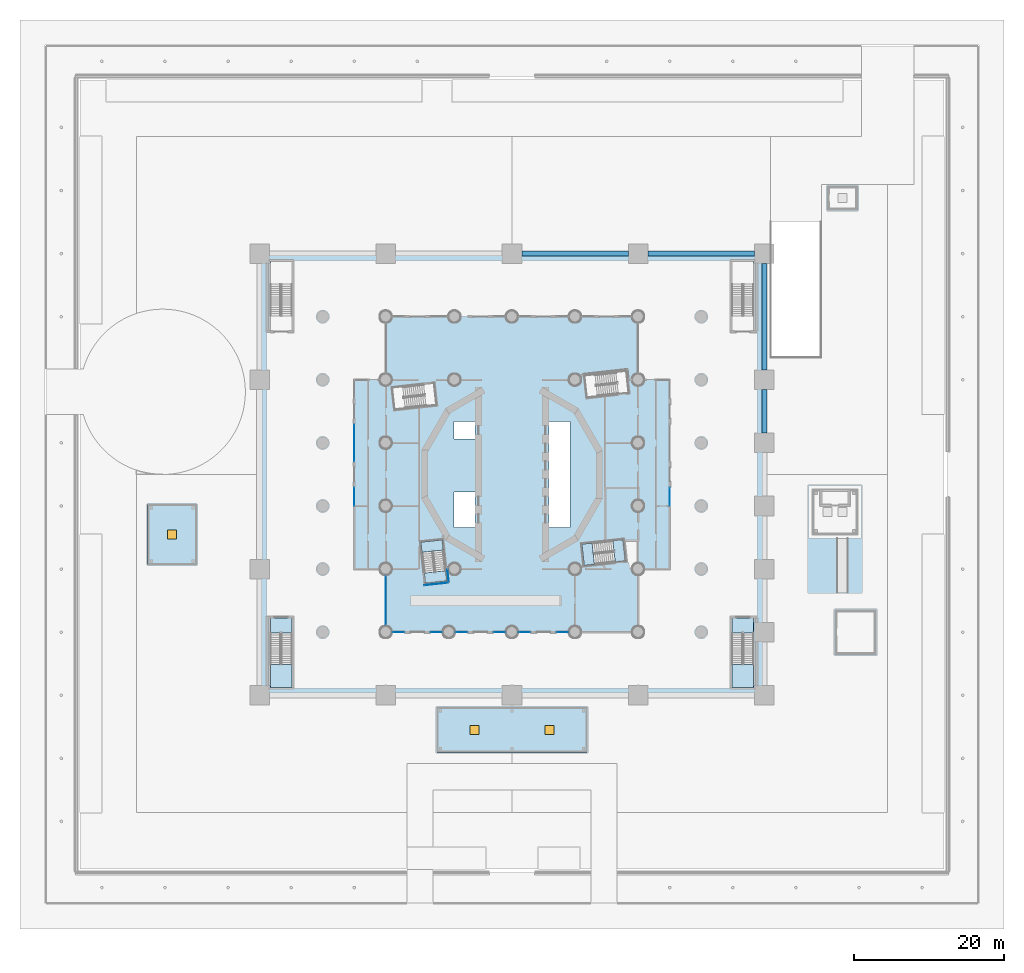
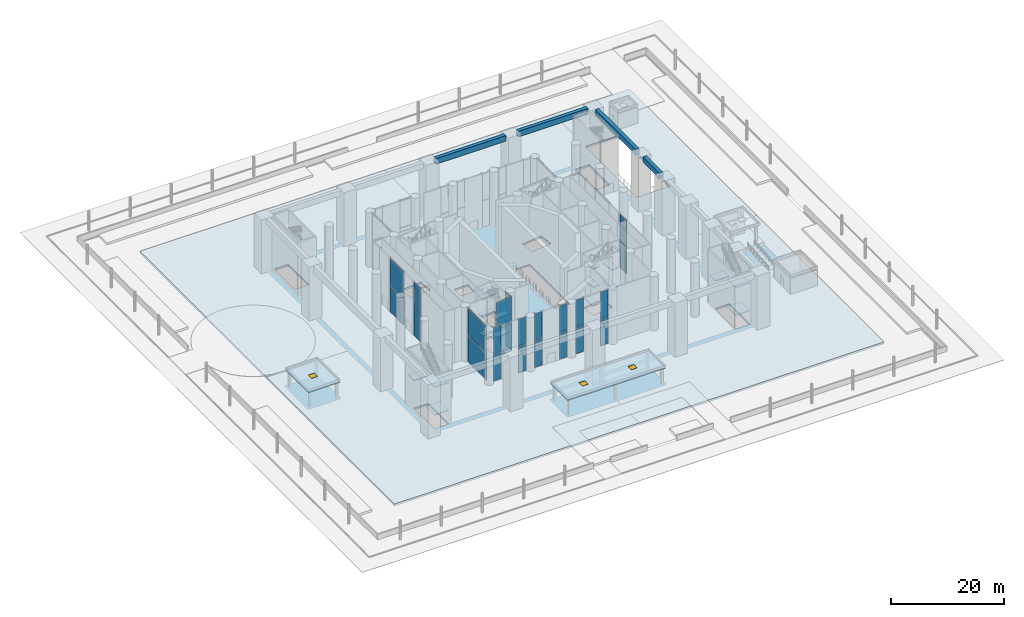
# One storey, part 10 of 52: 24 plates, 19 slabs, 4 beams, 3 windows, 3 openings, 16 elements without a shape of their own.
"""IFC4 building model written with IfcOpenShell, lengths in metres."""

import ifcopenshell
import ifcopenshell.guid

model = None  # the IFC model being written
_history = None  # IfcOwnerHistory: only IFC2X3 demands one
_inside = {}  # id of a spatial element -> (the spatial element, [elements in it])
_under = {}  # id of a project, library or spatial element -> (it, [spatial elements below it])
_declared = {}  # id of a project -> (the project, [libraries it declares])
_typed = {}  # id of a type object -> (the type object, [elements of that type])
_made_of = {}  # id of a material, layer set ... -> (it, [elements and type objects made of it])


def new_model(schema):
    """Start an empty IFC model of exactly this schema.

    Asked for "IFC4X3", IfcOpenShell would pick the latest addendum, in which some entities
    have other attributes; the version numbers below select the first issue.
    IFC2X3 requires an IfcOwnerHistory on every rooted entity: one is made here for all.
    """
    global model, _history
    if schema == "IFC4X3":
        model = ifcopenshell.file(schema_version=(4, 3, 0, 0))
    else:
        model = ifcopenshell.file(schema=schema)
    _inside.clear()
    _under.clear()
    _declared.clear()
    _typed.clear()
    _made_of.clear()
    _history = None
    if model.schema == "IFC2X3":
        org = make("IfcOrganization", Name="unknown")
        user = make(
            "IfcPersonAndOrganization",
            ThePerson=make("IfcPerson", FamilyName="unknown"),
            TheOrganization=org,
        )
        app = make(
            "IfcApplication",
            ApplicationDeveloper=org,
            Version="unknown",
            ApplicationFullName="unknown",
            ApplicationIdentifier="unknown",
        )
        _history = make(
            "IfcOwnerHistory",
            OwningUser=user,
            OwningApplication=app,
            ChangeAction="ADDED",
            CreationDate=0,
        )
    return model


def make(cls, **values):
    """One entity of the class cls with the attributes given. An attribute that is None is left unset."""
    return model.create_entity(
        cls, **{name: value for name, value in values.items() if value is not None}
    )


def rooted(cls, **values):
    """An entity with a GlobalId (a new one), such as an element, a storey or a relation."""
    return make(cls, GlobalId=ifcopenshell.guid.new(), OwnerHistory=_history, **values)


def si_unit(unit_type, name, prefix=None):
    """IfcSIUnit, for example si_unit("LENGTHUNIT", "METRE", prefix="MILLI")."""
    return make("IfcSIUnit", UnitType=unit_type, Prefix=prefix, Name=name)


def assignment(units):
    """IfcUnitAssignment: the units of a project."""
    return None if units is None else make("IfcUnitAssignment", Units=units)


def point(xyz):
    """IfcCartesianPoint."""
    return None if xyz is None else make("IfcCartesianPoint", Coordinates=xyz)


def direction(xyz):
    """IfcDirection."""
    return None if xyz is None else make("IfcDirection", DirectionRatios=xyz)


def frame(location, z_axis=None, x_axis=None):
    """IfcAxis2Placement3D, a coordinate frame: its origin and axes. An axis left out is left unset."""
    return make(
        "IfcAxis2Placement3D",
        Location=point(location),
        Axis=direction(z_axis),
        RefDirection=direction(x_axis),
    )


def frame_2d(location, x_axis=None):
    """IfcAxis2Placement2D, a coordinate frame in the plane: its origin and x axis."""
    return make(
        "IfcAxis2Placement2D", Location=point(location), RefDirection=direction(x_axis)
    )


def origin():
    """The frame at (0, 0, 0) with its axes left unset."""
    return frame((0.0, 0.0, 0.0))


def origin_2d():
    """The frame at (0, 0) in the plane with its x axis left unset."""
    return frame_2d((0.0, 0.0))


def place(relative_to, where):
    """IfcLocalPlacement: puts the frame where relative to a parent placement (None: the world)."""
    return make(
        "IfcLocalPlacement", PlacementRelTo=relative_to, RelativePlacement=where
    )


def context(
    kind, dimensions, precision=None, world=None, true_north=None, identifier=None
):
    """IfcGeometricRepresentationContext, for example the 3D "Model" context."""
    return make(
        "IfcGeometricRepresentationContext",
        ContextIdentifier=identifier,
        ContextType=kind,
        CoordinateSpaceDimension=dimensions,
        Precision=precision,
        WorldCoordinateSystem=world,
        TrueNorth=true_north,
    )


def subcontext(parent, identifier, kind, view, scale=None):
    """IfcGeometricRepresentationSubContext, for example "Body" below "Model"."""
    return make(
        "IfcGeometricRepresentationSubContext",
        ContextIdentifier=identifier,
        ContextType=kind,
        ParentContext=parent,
        TargetScale=scale,
        TargetView=view,
    )


def project(units=None, contexts=None):
    """IfcProject with its units and contexts."""
    return rooted(
        "IfcProject",
        Name="project",
        RepresentationContexts=contexts,
        UnitsInContext=assignment(units),
    )


def spatial(cls, under=None, at=None, **own):
    """A site, building, storey or space (cls), placed at a placement, below another one or the project."""
    s = rooted(cls, ObjectPlacement=at, **own)
    if under is not None:
        _under.setdefault(under.id(), (under, []))[1].append(s)
    return s


def polyline(points):
    """IfcPolyline through the points."""
    return make("IfcPolyline", Points=[point(p) for p in points])


def profile(cls, at=None, kind="AREA", **sizes):
    """A parametric profile (cls). Its sizes go by their IFC names, for example OverallWidth=200.0."""
    return make(cls, ProfileType=kind, Position=at, **sizes)


def rectangle(**sizes):
    """IfcRectangleProfileDef."""
    return profile("IfcRectangleProfileDef", **sizes)


def outline(outer, holes=None, kind="AREA"):
    """IfcArbitraryClosedProfileDef: a profile drawn as a closed curve; with holes, ...WithVoids."""
    if holes is None:
        return make("IfcArbitraryClosedProfileDef", ProfileType=kind, OuterCurve=outer)
    return make(
        "IfcArbitraryProfileDefWithVoids",
        ProfileType=kind,
        OuterCurve=outer,
        InnerCurves=holes,
    )


def extrude(swept, where, along, depth):
    """IfcExtrudedAreaSolid: the profile swept, set in the frame where, extruded along a direction by depth."""
    return make(
        "IfcExtrudedAreaSolid",
        SweptArea=swept,
        Position=where,
        ExtrudedDirection=direction(along),
        Depth=depth,
    )


def shape(context_of_items, identifier, shape_type, items):
    """IfcShapeRepresentation: the items that make up one representation, for example the "Body"."""
    return make(
        "IfcShapeRepresentation",
        ContextOfItems=context_of_items,
        RepresentationIdentifier=identifier,
        RepresentationType=shape_type,
        Items=items,
    )


def material(Name=None, Category=None):
    """IfcMaterial."""
    return make("IfcMaterial", Name=Name, Category=Category)


def layer(
    of_material, thickness, ventilated=None, Name=None, Category=None, Priority=None
):
    """IfcMaterialLayer: one layer of a wall or slab, of a material (None: an air gap)."""
    return make(
        "IfcMaterialLayer",
        Material=of_material,
        LayerThickness=thickness,
        IsVentilated=ventilated,
        Name=Name,
        Category=Category,
        Priority=Priority,
    )


def layer_set(layers, Name=None):
    """IfcMaterialLayerSet."""
    return make("IfcMaterialLayerSet", MaterialLayers=layers, LayerSetName=Name)


def material_profile(
    of_material, cross_section, Name=None, Category=None, Priority=None
):
    """IfcMaterialProfile: a cross section and its material."""
    return make(
        "IfcMaterialProfile",
        Name=Name,
        Material=of_material,
        Profile=cross_section,
        Priority=Priority,
        Category=Category,
    )


def profile_set(profiles, Name=None, composite=None):
    """IfcMaterialProfileSet."""
    return make(
        "IfcMaterialProfileSet",
        Name=Name,
        MaterialProfiles=profiles,
        CompositeProfile=composite,
    )


def made_of(thing, what):
    """Note that an element or type object is made of a material, layer set ...; save() writes the relation."""
    if what is not None:
        _made_of.setdefault(what.id(), (what, []))[1].append(thing)
    return thing


def type_object(cls, material=None, **own):
    """A type object (cls), such as IfcWallType, which elements share."""
    return made_of(rooted(cls, **own), material)


def element(
    cls,
    number,
    at=None,
    inside=None,
    cuts=None,
    type_object=None,
    material=None,
    context=None,
    identifier="Body",
    shape_type=None,
    held_by="IfcProductDefinitionShape",
    body=None,
    shapes=None,
    **own,
):
    """One element of the class cls, such as IfcWall. Its Tag is "e" and its number.

    at: its placement. inside: the storey or other place that contains it. cuts: it is an
    opening in that element (IfcRelVoidsElement). A single representation is given by context,
    identifier, shape_type and body (its items); several are given by shapes. held_by: the class
    of the entity that holds the representations. save() writes the other relations.
    """
    e = rooted(cls, Tag="e%d" % number, ObjectPlacement=at, **own)
    if body is not None:
        shapes = [shape(context, identifier, shape_type, body)]
    if shapes is not None:
        e.Representation = make(held_by, Representations=shapes)
    if inside is not None:
        _inside.setdefault(inside.id(), (inside, []))[1].append(e)
    if cuts is not None:
        rooted(
            "IfcRelVoidsElement", RelatingBuildingElement=cuts, RelatedOpeningElement=e
        )
    if type_object is not None:
        _typed.setdefault(type_object.id(), (type_object, []))[1].append(e)
    return made_of(e, material)


def fill(opening, filler):
    """IfcRelFillsElement: the door or window that sits in an opening."""
    return rooted(
        "IfcRelFillsElement",
        RelatingOpeningElement=opening,
        RelatedBuildingElement=filler,
    )


def aggregate(whole, parts):
    """IfcRelAggregates: a whole, such as a stair, and the parts it consists of."""
    return rooted("IfcRelAggregates", RelatingObject=whole, RelatedObjects=parts)


def save(model, path):
    """Write the relations noted so far, then the file.

    IfcRelAggregates (storeys below a building ...), IfcRelContainedInSpatialStructure (elements
    in a storey), IfcRelDefinesByType, IfcRelAssociatesMaterial and IfcRelDeclares: one each for
    every whole, place, type object, material and project.
    """
    for whole, parts in _under.values():
        aggregate(whole, parts)
    for where, things in _inside.values():
        rooted(
            "IfcRelContainedInSpatialStructure",
            RelatedElements=things,
            RelatingStructure=where,
        )
    for kind, things in _typed.values():
        rooted("IfcRelDefinesByType", RelatedObjects=things, RelatingType=kind)
    for what, things in _made_of.values():
        rooted("IfcRelAssociatesMaterial", RelatedObjects=things, RelatingMaterial=what)
    for by, libraries in _declared.values():
        rooted("IfcRelDeclares", RelatingContext=by, RelatedDefinitions=libraries)
    model.write(path)


model = new_model("IFC4")

# Units and contexts
model_context = context("Model", 3, precision=1e-05, world=origin(), true_north=direction((0.0, 1.0)))
body_context = subcontext(model_context, "Body", "Model", "MODEL_VIEW")
ifc_project = project(units=[si_unit("LENGTHUNIT", "METRE"), si_unit("AREAUNIT", "SQUARE_METRE"), si_unit("VOLUMEUNIT", "CUBIC_METRE"), si_unit("PLANEANGLEUNIT", "RADIAN"), si_unit("MASSUNIT", "GRAM", prefix="KILO")], contexts=[model_context])

# Site, building, storey
site_placement = place(None, origin())
site = spatial("IfcSite", under=ifc_project, at=site_placement, CompositionType="ELEMENT")
building_placement = place(site_placement, origin())
building = spatial("IfcBuilding", under=site, at=building_placement, Name="Cantera Rosa Tower", CompositionType="ELEMENT")
storey_placement = place(building_placement, origin())
storey = spatial("IfcBuildingStorey", under=building, at=storey_placement, Name="L00", CompositionType="ELEMENT", Elevation=0.0)

# Beams
ifc_material_1 = material(Name="Concrete C50/60", Category="concrete")
ifc_material_profile = material_profile(ifc_material_1, rectangle(XDim=0.699951171875, YDim=1.199951171875, at=origin_2d()), Name="Edge girder 700x1200")
ifc_profile_set = profile_set([ifc_material_profile], Name="Concrete C50/60")
beam_type = type_object("IfcBeamType", Name="Edge girder 700x1200", PredefinedType="BEAM", material=ifc_profile_set)
for number, where, z_axis, x_axis, name in (
    (1, (1.300048828125, 29.39990234375, 11.10009765625), (1.0, 0.0, 0.0), (0.0, 1.0, 0.0), "Edge girder L00-09"),
    (2, (18.10009765625, 29.39990234375, 11.10009765625), (1.0, 0.0, 0.0), (0.0, 1.0, 0.0), "Edge girder L00-11"),
):
    element("IfcBeam", number, at=place(storey_placement, frame(where, z_axis=z_axis, x_axis=x_axis)), inside=storey, type_object=beam_type, Name=name, PredefinedType="BEAM", context=body_context, shape_type="SweptSolid", body=[
        extrude(rectangle(XDim=0.699951171875, YDim=1.199951171875, at=origin_2d()), origin(), (0.0, 0.0, 1.0), 14.199951171875),
    ])
beam_1_placement = place(storey_placement, frame((33.60009765625, 5.5, 11.10009765625), z_axis=(0.0, 1.0, 0.0), x_axis=(-1.0, 0.0, 0.0)))
element("IfcBeam", 3, at=beam_1_placement, inside=storey, type_object=beam_type, Name="Edge girder L00-16", PredefinedType="BEAM", context=body_context, shape_type="SweptSolid", body=[
    extrude(rectangle(XDim=0.699951171875, YDim=1.199951171875, at=origin_2d()), origin(), (0.0, 0.0, 1.0), 5.800048828125),
])
beam_2_placement = place(storey_placement, frame((33.60009765625, 13.89990234375, 11.10009765625), z_axis=(0.0, 1.0, 0.0), x_axis=(-1.0, 0.0, 0.0)))
element("IfcBeam", 4, at=beam_2_placement, inside=storey, type_object=beam_type, Name="Edge girder L00-17", PredefinedType="BEAM", context=body_context, shape_type="SweptSolid", body=[
    extrude(rectangle(XDim=0.699951171875, YDim=1.199951171875, at=origin_2d()), origin(), (0.0, 0.0, 1.0), 14.2001953125),
])

# Slab
ifc_material_2 = material(Name="Concrete C35/45", Category="concrete")
ifc_layer_1 = layer(ifc_material_2, 0.39990234375)
ifc_layer_set_1 = layer_set([ifc_layer_1], Name="Deck slab 400")
slab_type_1 = type_object("IfcSlabType", Name="Deck slab 400", PredefinedType="FLOOR", material=ifc_layer_set_1)
slab_1_placement = place(storey_placement, frame((0.0, 0.0, -0.401611328125)))
element("IfcSlab", 5, at=slab_1_placement, inside=storey, type_object=slab_type_1, Name="Plaza deck slab L00", PredefinedType="FLOOR", context=body_context, shape_type="SweptSolid", body=[
    extrude(outline(polyline([(-50.0, -45.0), (50.0, -45.0), (50.0, 45.0), (-50.0, 45.0), (-50.0, -45.0)]), holes=[polyline([(41.199951171875, 15.5166015625), (41.199951171875, 33.60009765625), (34.39990234375, 33.60009765625), (34.39990234375, 15.5166015625), (41.199951171875, 15.5166015625)]), polyline([(29.27490234375, -28.375), (32.175048828125, -28.375), (32.175048828125, -21.136962890625), (29.27490234375, -21.136962890625), (29.27490234375, -28.375)]), polyline([(32.175048828125, 21.136962890625), (32.175048828125, 28.375), (29.27490234375, 28.375), (29.27490234375, 21.136962890625), (32.175048828125, 21.136962890625)]), polyline([(9.709716796875, 13.11279296875), (10.02392578125, 10.2802734375), (14.13671875, 10.73681640625), (13.822265625, 13.5693359375), (9.709716796875, 13.11279296875)]), polyline([(9.3095703125, -9.287109375), (9.6240234375, -12.11962890625), (13.73681640625, -11.6630859375), (13.42236328125, -8.83056640625), (9.3095703125, -9.287109375)]), polyline([(4.89990234375, -7.050048828125), (7.699951171875, -7.050048828125), (7.699951171875, 7.050048828125), (4.89990234375, 7.050048828125), (4.89990234375, -7.050048828125)]), polyline([(-7.699951171875, -7.050048828125), (-4.89990234375, -7.050048828125), (-4.89990234375, -2.35009765625), (-7.699951171875, -2.35009765625), (-7.699951171875, -7.050048828125)]), polyline([(-4.89990234375, 7.050048828125), (-7.699951171875, 7.050048828125), (-7.699951171875, 4.699951171875), (-4.89990234375, 4.699951171875), (-4.89990234375, 7.050048828125)]), polyline([(-9.287109375, -8.709716796875), (-12.11962890625, -9.02392578125), (-11.6630859375, -13.13671875), (-8.83056640625, -12.822265625), (-9.287109375, -8.709716796875)]), polyline([(-11.777587890625, 11.969482421875), (-15.890380859375, 11.512939453125), (-15.575927734375, 8.680419921875), (-11.46337890625, 9.13671875), (-11.777587890625, 11.969482421875)]), polyline([(-32.175048828125, -28.375), (-29.27490234375, -28.375), (-29.27490234375, -21.136962890625), (-32.175048828125, -21.136962890625), (-32.175048828125, -28.375)]), polyline([(-29.27490234375, 21.136962890625), (-29.27490234375, 28.375), (-32.175048828125, 28.375), (-32.175048828125, 21.136962890625), (-29.27490234375, 21.136962890625)])]), origin(), (0.0, 0.0, 1.0), 0.401611328125),
])

# Curtain wall, plates
ifc_material_3 = material(Name="Glass", Category="glass")
curtain_wall_type = type_object("IfcCurtainWallType", Name="Pavilion curtain wall", PredefinedType="NOTDEFINED", material=ifc_material_3)
curtain_wall_1_placement = place(storey_placement, origin())
curtain_wall_1 = element("IfcCurtainWall", 6, at=curtain_wall_1_placement, inside=storey, type_object=curtain_wall_type, Name="Pavilion curtain wall CAFE 1", PredefinedType="NOTDEFINED")
ifc_material_4 = material(Name="Glass", Category="glass")
ifc_layer_2 = layer(ifc_material_4, 0.028076171875)
ifc_layer_set_2 = layer_set([ifc_layer_2], Name="Glazing panel pavilion")
plate_type = type_object("IfcPlateType", Name="Glazing panel pavilion", PredefinedType="CURTAIN_PANEL", material=ifc_layer_set_2)
plate_1_placement = place(storey_placement, frame((21.0, -2.949951171875, 0.06005859375), z_axis=(0.0, 0.0, 1.0), x_axis=(0.0, 1.0, 0.0)))
plate_1 = element("IfcPlate", 7, at=plate_1_placement, type_object=plate_type, Name="CW6 panel 1.1", PredefinedType="CURTAIN_PANEL", context=body_context, shape_type="SweptSolid", body=[
    extrude(rectangle(XDim=2.3798828125, YDim=0.028076171875, at=origin_2d()), origin(), (0.0, 0.0, 1.0), 5.760009765625),
])
plate_2_placement = place(storey_placement, frame((21.0, -2.949951171875, 5.8798828125), z_axis=(0.0, 0.0, 1.0), x_axis=(0.0, 1.0, 0.0)))
plate_2 = element("IfcPlate", 8, at=plate_2_placement, type_object=plate_type, Name="CW6 panel 1.2", PredefinedType="CURTAIN_PANEL", context=body_context, shape_type="SweptSolid", body=[
    extrude(rectangle(XDim=2.3798828125, YDim=0.028076171875, at=origin_2d()), origin(), (0.0, 0.0, 1.0), 5.760009765625),
])
aggregate(curtain_wall_1, [plate_1, plate_2])

curtain_wall_2_placement = place(storey_placement, origin())
curtain_wall_2 = element("IfcCurtainWall", 9, at=curtain_wall_2_placement, inside=storey, type_object=curtain_wall_type, Name="Pavilion curtain wall LOUNGE 9", PredefinedType="NOTDEFINED")
plate_3_placement = place(storey_placement, frame((-21.0, 4.199951171875, 0.06005859375), z_axis=(0.0, 0.0, 1.0), x_axis=(0.0, -1.0, 0.0)))
plate_3 = element("IfcPlate", 10, at=plate_3_placement, type_object=plate_type, Name="CW6 panel 1.1", PredefinedType="CURTAIN_PANEL", context=body_context, shape_type="SweptSolid", body=[
    extrude(rectangle(XDim=4.8798828125, YDim=0.028076171875, at=origin_2d()), origin(), (0.0, 0.0, 1.0), 5.760009765625),
])
plate_4_placement = place(storey_placement, frame((-21.0, 4.199951171875, 5.8798828125), z_axis=(0.0, 0.0, 1.0), x_axis=(0.0, -1.0, 0.0)))
plate_4 = element("IfcPlate", 11, at=plate_4_placement, type_object=plate_type, Name="CW6 panel 1.2", PredefinedType="CURTAIN_PANEL", context=body_context, shape_type="SweptSolid", body=[
    extrude(rectangle(XDim=4.8798828125, YDim=0.028076171875, at=origin_2d()), origin(), (0.0, 0.0, 1.0), 5.760009765625),
])
aggregate(curtain_wall_2, [plate_3, plate_4])

curtain_wall_3_placement = place(storey_placement, origin())
curtain_wall_3 = element("IfcCurtainWall", 12, at=curtain_wall_3_placement, inside=storey, type_object=curtain_wall_type, Name="Pavilion curtain wall LOUNGE 9", PredefinedType="NOTDEFINED")
plate_5_placement = place(storey_placement, frame((-21.0, -2.949951171875, 0.06005859375), z_axis=(0.0, 0.0, 1.0), x_axis=(0.0, -1.0, 0.0)))
plate_5 = element("IfcPlate", 13, at=plate_5_placement, type_object=plate_type, Name="CW6 panel 1.1", PredefinedType="CURTAIN_PANEL", context=body_context, shape_type="SweptSolid", body=[
    extrude(rectangle(XDim=2.3798828125, YDim=0.028076171875, at=origin_2d()), origin(), (0.0, 0.0, 1.0), 5.760009765625),
])
plate_6_placement = place(storey_placement, frame((-21.0, -2.949951171875, 5.8798828125), z_axis=(0.0, 0.0, 1.0), x_axis=(0.0, -1.0, 0.0)))
plate_6 = element("IfcPlate", 14, at=plate_6_placement, type_object=plate_type, Name="CW6 panel 1.2", PredefinedType="CURTAIN_PANEL", context=body_context, shape_type="SweptSolid", body=[
    extrude(rectangle(XDim=2.3798828125, YDim=0.028076171875, at=origin_2d()), origin(), (0.0, 0.0, 1.0), 5.760009765625),
])
aggregate(curtain_wall_3, [plate_5, plate_6])

curtain_wall_4_placement = place(storey_placement, origin())
curtain_wall_4 = element("IfcCurtainWall", 15, at=curtain_wall_4_placement, inside=storey, type_object=curtain_wall_type, Name="Pavilion curtain wall RESID 12", PredefinedType="NOTDEFINED")
plate_7_placement = place(storey_placement, frame((6.719970703125, -21.0, 0.06005859375), z_axis=(0.0, 0.0, 1.0), x_axis=(-1.0, 0.0, 0.0)))
plate_7 = element("IfcPlate", 16, at=plate_7_placement, type_object=plate_type, Name="CW6 panel 1.1", PredefinedType="CURTAIN_PANEL", context=body_context, shape_type="SweptSolid", body=[
    extrude(rectangle(XDim=1.52001953125, YDim=0.028076171875, at=origin_2d()), origin(), (0.0, 0.0, 1.0), 5.760009765625),
])
plate_8_placement = place(storey_placement, frame((6.719970703125, -21.0, 5.8798828125), z_axis=(0.0, 0.0, 1.0), x_axis=(-1.0, 0.0, 0.0)))
plate_8 = element("IfcPlate", 17, at=plate_8_placement, type_object=plate_type, Name="CW6 panel 1.2", PredefinedType="CURTAIN_PANEL", context=body_context, shape_type="SweptSolid", body=[
    extrude(rectangle(XDim=1.52001953125, YDim=0.028076171875, at=origin_2d()), origin(), (0.0, 0.0, 1.0), 5.760009765625),
])
aggregate(curtain_wall_4, [plate_7, plate_8])

curtain_wall_5_placement = place(storey_placement, origin())
curtain_wall_5 = element("IfcCurtainWall", 18, at=curtain_wall_5_placement, inside=storey, type_object=curtain_wall_type, Name="Pavilion curtain wall RESID 12", PredefinedType="NOTDEFINED")
plate_9_placement = place(storey_placement, frame((1.679931640625, -21.0, 0.06005859375), z_axis=(0.0, 0.0, 1.0), x_axis=(-1.0, 0.0, 0.0)))
plate_9 = element("IfcPlate", 19, at=plate_9_placement, type_object=plate_type, Name="CW6 panel 1.1", PredefinedType="CURTAIN_PANEL", context=body_context, shape_type="SweptSolid", body=[
    extrude(rectangle(XDim=1.52001953125, YDim=0.028076171875, at=origin_2d()), origin(), (0.0, 0.0, 1.0), 5.760009765625),
])
plate_10_placement = place(storey_placement, frame((1.679931640625, -21.0, 5.8798828125), z_axis=(0.0, 0.0, 1.0), x_axis=(-1.0, 0.0, 0.0)))
plate_10 = element("IfcPlate", 20, at=plate_10_placement, type_object=plate_type, Name="CW6 panel 1.2", PredefinedType="CURTAIN_PANEL", context=body_context, shape_type="SweptSolid", body=[
    extrude(rectangle(XDim=1.52001953125, YDim=0.028076171875, at=origin_2d()), origin(), (0.0, 0.0, 1.0), 5.760009765625),
])
aggregate(curtain_wall_5, [plate_9, plate_10])

curtain_wall_6_placement = place(storey_placement, origin())
curtain_wall_6 = element("IfcCurtainWall", 21, at=curtain_wall_6_placement, inside=storey, type_object=curtain_wall_type, Name="Pavilion curtain wall RESID 12", PredefinedType="NOTDEFINED")
plate_11_placement = place(storey_placement, frame((-1.679931640625, -21.0, 0.06005859375), z_axis=(0.0, 0.0, 1.0), x_axis=(-1.0, 0.0, 0.0)))
plate_11 = element("IfcPlate", 22, at=plate_11_placement, type_object=plate_type, Name="CW6 panel 1.1", PredefinedType="CURTAIN_PANEL", context=body_context, shape_type="SweptSolid", body=[
    extrude(rectangle(XDim=1.52001953125, YDim=0.028076171875, at=origin_2d()), origin(), (0.0, 0.0, 1.0), 5.760009765625),
])
plate_12_placement = place(storey_placement, frame((-1.679931640625, -21.0, 5.8798828125), z_axis=(0.0, 0.0, 1.0), x_axis=(-1.0, 0.0, 0.0)))
plate_12 = element("IfcPlate", 23, at=plate_12_placement, type_object=plate_type, Name="CW6 panel 1.2", PredefinedType="CURTAIN_PANEL", context=body_context, shape_type="SweptSolid", body=[
    extrude(rectangle(XDim=1.52001953125, YDim=0.028076171875, at=origin_2d()), origin(), (0.0, 0.0, 1.0), 5.760009765625),
])
aggregate(curtain_wall_6, [plate_11, plate_12])

curtain_wall_7_placement = place(storey_placement, origin())
curtain_wall_7 = element("IfcCurtainWall", 24, at=curtain_wall_7_placement, inside=storey, type_object=curtain_wall_type, Name="Pavilion curtain wall RESID 12", PredefinedType="NOTDEFINED")
plate_13_placement = place(storey_placement, frame((-6.719970703125, -21.0, 0.06005859375), z_axis=(0.0, 0.0, 1.0), x_axis=(-1.0, 0.0, 0.0)))
plate_13 = element("IfcPlate", 25, at=plate_13_placement, type_object=plate_type, Name="CW6 panel 1.1", PredefinedType="CURTAIN_PANEL", context=body_context, shape_type="SweptSolid", body=[
    extrude(rectangle(XDim=1.52001953125, YDim=0.028076171875, at=origin_2d()), origin(), (0.0, 0.0, 1.0), 5.760009765625),
])
plate_14_placement = place(storey_placement, frame((-6.719970703125, -21.0, 5.8798828125), z_axis=(0.0, 0.0, 1.0), x_axis=(-1.0, 0.0, 0.0)))
plate_14 = element("IfcPlate", 26, at=plate_14_placement, type_object=plate_type, Name="CW6 panel 1.2", PredefinedType="CURTAIN_PANEL", context=body_context, shape_type="SweptSolid", body=[
    extrude(rectangle(XDim=1.52001953125, YDim=0.028076171875, at=origin_2d()), origin(), (0.0, 0.0, 1.0), 5.760009765625),
])
aggregate(curtain_wall_7, [plate_13, plate_14])

curtain_wall_8_placement = place(storey_placement, origin())
curtain_wall_8 = element("IfcCurtainWall", 27, at=curtain_wall_8_placement, inside=storey, type_object=curtain_wall_type, Name="Pavilion curtain wall RESID 12", PredefinedType="NOTDEFINED")
plate_15_placement = place(storey_placement, frame((-10.080078125, -21.0, 0.06005859375), z_axis=(0.0, 0.0, 1.0), x_axis=(-1.0, 0.0, 0.0)))
plate_15 = element("IfcPlate", 28, at=plate_15_placement, type_object=plate_type, Name="CW6 panel 1.1", PredefinedType="CURTAIN_PANEL", context=body_context, shape_type="SweptSolid", body=[
    extrude(rectangle(XDim=1.52001953125, YDim=0.028076171875, at=origin_2d()), origin(), (0.0, 0.0, 1.0), 5.760009765625),
])
plate_16_placement = place(storey_placement, frame((-10.080078125, -21.0, 5.8798828125), z_axis=(0.0, 0.0, 1.0), x_axis=(-1.0, 0.0, 0.0)))
plate_16 = element("IfcPlate", 29, at=plate_16_placement, type_object=plate_type, Name="CW6 panel 1.2", PredefinedType="CURTAIN_PANEL", context=body_context, shape_type="SweptSolid", body=[
    extrude(rectangle(XDim=1.52001953125, YDim=0.028076171875, at=origin_2d()), origin(), (0.0, 0.0, 1.0), 5.760009765625),
])
aggregate(curtain_wall_8, [plate_15, plate_16])

curtain_wall_9_placement = place(storey_placement, origin())
curtain_wall_9 = element("IfcCurtainWall", 30, at=curtain_wall_9_placement, inside=storey, type_object=curtain_wall_type, Name="Pavilion curtain wall RESID 12", PredefinedType="NOTDEFINED")
plate_17_placement = place(storey_placement, frame((-15.1201171875, -21.0, 0.06005859375), z_axis=(0.0, 0.0, 1.0), x_axis=(-1.0, 0.0, 0.0)))
plate_17 = element("IfcPlate", 31, at=plate_17_placement, type_object=plate_type, Name="CW6 panel 1.1", PredefinedType="CURTAIN_PANEL", context=body_context, shape_type="SweptSolid", body=[
    extrude(rectangle(XDim=1.52001953125, YDim=0.028076171875, at=origin_2d()), origin(), (0.0, 0.0, 1.0), 5.760009765625),
])
plate_18_placement = place(storey_placement, frame((-15.1201171875, -21.0, 5.8798828125), z_axis=(0.0, 0.0, 1.0), x_axis=(-1.0, 0.0, 0.0)))
plate_18 = element("IfcPlate", 32, at=plate_18_placement, type_object=plate_type, Name="CW6 panel 1.2", PredefinedType="CURTAIN_PANEL", context=body_context, shape_type="SweptSolid", body=[
    extrude(rectangle(XDim=1.52001953125, YDim=0.028076171875, at=origin_2d()), origin(), (0.0, 0.0, 1.0), 5.760009765625),
])
aggregate(curtain_wall_9, [plate_17, plate_18])

curtain_wall_10_placement = place(storey_placement, origin())
curtain_wall_10 = element("IfcCurtainWall", 33, at=curtain_wall_10_placement, inside=storey, type_object=curtain_wall_type, Name="Pavilion curtain wall RESID 13", PredefinedType="NOTDEFINED")
plate_19_placement = place(storey_placement, frame((-16.800048828125, -16.800048828125, 0.06005859375), z_axis=(0.0, 0.0, 1.0), x_axis=(0.0, 1.0, 0.0)))
plate_19 = element("IfcPlate", 34, at=plate_19_placement, type_object=plate_type, Name="CW6 panel 1.1", PredefinedType="CURTAIN_PANEL", context=body_context, shape_type="SweptSolid", body=[
    extrude(rectangle(XDim=6.56005859375, YDim=0.028076171875, at=origin_2d()), origin(), (0.0, 0.0, 1.0), 5.760009765625),
])
plate_20_placement = place(storey_placement, frame((-16.800048828125, -16.800048828125, 5.8798828125), z_axis=(0.0, 0.0, 1.0), x_axis=(0.0, 1.0, 0.0)))
plate_20 = element("IfcPlate", 35, at=plate_20_placement, type_object=plate_type, Name="CW6 panel 1.2", PredefinedType="CURTAIN_PANEL", context=body_context, shape_type="SweptSolid", body=[
    extrude(rectangle(XDim=6.56005859375, YDim=0.028076171875, at=origin_2d()), origin(), (0.0, 0.0, 1.0), 5.760009765625),
])
aggregate(curtain_wall_10, [plate_19, plate_20])

curtain_wall_11_placement = place(storey_placement, origin())
curtain_wall_11 = element("IfcCurtainWall", 36, at=curtain_wall_11_placement, inside=storey, type_object=curtain_wall_type, Name="Pavilion curtain wall RESID 14", PredefinedType="NOTDEFINED")
plate_21_placement = place(storey_placement, frame((-10.069091796875, -14.581787109375, 0.06005859375), z_axis=(0.0, 0.0, 1.0), x_axis=(0.993894651301, 0.110333232145, 0.0)))
plate_21 = element("IfcPlate", 37, at=plate_21_placement, type_object=plate_type, Name="CW6 panel 1.1", PredefinedType="CURTAIN_PANEL", context=body_context, shape_type="SweptSolid", body=[
    extrude(rectangle(XDim=3.229736328125, YDim=0.028076171875, at=origin_2d()), origin(), (0.0, 0.0, 1.0), 5.760009765625),
])
plate_22_placement = place(storey_placement, frame((-10.069091796875, -14.581787109375, 5.8798828125), z_axis=(0.0, 0.0, 1.0), x_axis=(0.993894651301, 0.110333232145, 0.0)))
plate_22 = element("IfcPlate", 38, at=plate_22_placement, type_object=plate_type, Name="CW6 panel 1.2", PredefinedType="CURTAIN_PANEL", context=body_context, shape_type="SweptSolid", body=[
    extrude(rectangle(XDim=3.229736328125, YDim=0.028076171875, at=origin_2d()), origin(), (0.0, 0.0, 1.0), 5.760009765625),
])
aggregate(curtain_wall_11, [plate_21, plate_22])

curtain_wall_12_placement = place(storey_placement, origin())
curtain_wall_12 = element("IfcCurtainWall", 39, at=curtain_wall_12_placement, inside=storey, type_object=curtain_wall_type, Name="Pavilion curtain wall RESID 15", PredefinedType="NOTDEFINED")
plate_23_placement = place(storey_placement, frame((-8.50390625, -13.49853515625, 0.06005859375), z_axis=(0.0, 0.0, 1.0), x_axis=(-0.110297959765, 0.993898566289, 0.0)))
plate_23 = element("IfcPlate", 40, at=plate_23_placement, type_object=plate_type, Name="CW6 panel 1.1", PredefinedType="CURTAIN_PANEL", context=body_context, shape_type="SweptSolid", body=[
    extrude(rectangle(XDim=1.687744140625, YDim=0.028076171875, at=origin_2d()), origin(), (0.0, 0.0, 1.0), 5.760009765625),
])
plate_24_placement = place(storey_placement, frame((-8.50390625, -13.49853515625, 5.8798828125), z_axis=(0.0, 0.0, 1.0), x_axis=(-0.110297959765, 0.993898566289, 0.0)))
plate_24 = element("IfcPlate", 41, at=plate_24_placement, type_object=plate_type, Name="CW6 panel 1.2", PredefinedType="CURTAIN_PANEL", context=body_context, shape_type="SweptSolid", body=[
    extrude(rectangle(XDim=1.687744140625, YDim=0.028076171875, at=origin_2d()), origin(), (0.0, 0.0, 1.0), 5.760009765625),
])
aggregate(curtain_wall_12, [plate_23, plate_24])

# Slab, opening, window
ifc_material_5 = material(Name="Concrete C35/45", Category="concrete")
ifc_layer_3 = layer(ifc_material_5, 0.25)
ifc_layer_set_3 = layer_set([ifc_layer_3], Name="Pavilion roof slab 250")
slab_type_2 = type_object("IfcSlabType", Name="Pavilion roof slab 250", PredefinedType="ROOF", material=ifc_layer_set_3)
slab_2_placement = place(storey_placement, frame((0.0, 0.0, 3.39990234375)))
slab_2 = element("IfcSlab", 42, at=slab_2_placement, inside=storey, type_object=slab_type_2, Name="Roof of the bicycle shelter", PredefinedType="ROOF", context=body_context, shape_type="SweptSolid", body=[
    extrude(outline(polyline([(-42.0, -12.0), (-42.0, -4.0), (-48.5, -4.0), (-48.5, -12.0), (-42.0, -12.0)])), origin(), (0.0, 0.0, 1.0), 0.25),
])
opening_1_placement = place(slab_2_placement, frame((-45.25, -8.0, 0.0)))
opening_1 = element("IfcOpeningElement", 43, at=opening_1_placement, cuts=slab_2, Name="Opening SK-BIKE-1", PredefinedType="OPENING", context=body_context, shape_type="SweptSolid", body=[
    extrude(rectangle(XDim=1.199951171875, YDim=1.199951171875, at=origin_2d()), origin(), (0.0, 0.0, 1.0), 0.25),
])
ifc_material_6 = material(Name="Glass", Category="glass")
window_type = type_object("IfcWindowType", Name="Roof light unit 1200x1200", PartitioningType="SINGLE_PANEL", PredefinedType="SKYLIGHT", material=ifc_material_6)
window_1_placement = place(opening_1_placement, frame((0.0, 0.0, 0.199951171875)))
window_1 = element("IfcWindow", 44, at=window_1_placement, inside=storey, type_object=window_type, Name="Roof light bicycle shelter 1", OverallHeight=1.199951171875, OverallWidth=1.199951171875, PartitioningType="SINGLE_PANEL", PredefinedType="SKYLIGHT", context=body_context, shape_type="SweptSolid", body=[
    extrude(rectangle(XDim=1.199951171875, YDim=1.199951171875, at=origin_2d()), origin(), (0.0, 0.0, 1.0), 0.050048828125),
])
fill(opening_1, window_1)

# Slab, openings, windows
slab_3_placement = place(storey_placement, frame((0.0, 0.0, 3.39990234375)))
slab_3 = element("IfcSlab", 45, at=slab_3_placement, inside=storey, type_object=slab_type_2, Name="Roof of the hotel drop-off canopy", PredefinedType="ROOF", context=body_context, shape_type="SweptSolid", body=[
    extrude(outline(polyline([(10.0, -37.0), (10.0, -31.0), (-10.0, -31.0), (-10.0, -37.0), (10.0, -37.0)])), origin(), (0.0, 0.0, 1.0), 0.25),
])
opening_2_placement = place(slab_3_placement, frame((-5.0, -34.0, 0.0)))
opening_2 = element("IfcOpeningElement", 46, at=opening_2_placement, cuts=slab_3, Name="Opening SK-DROP-1", PredefinedType="OPENING", context=body_context, shape_type="SweptSolid", body=[
    extrude(rectangle(XDim=1.199951171875, YDim=1.199951171875, at=origin_2d()), origin(), (0.0, 0.0, 1.0), 0.25),
])
opening_3_placement = place(slab_3_placement, frame((5.0, -34.0, 0.0)))
opening_3 = element("IfcOpeningElement", 47, at=opening_3_placement, cuts=slab_3, Name="Opening SK-DROP-2", PredefinedType="OPENING", context=body_context, shape_type="SweptSolid", body=[
    extrude(rectangle(XDim=1.199951171875, YDim=1.199951171875, at=origin_2d()), origin(), (0.0, 0.0, 1.0), 0.25),
])
window_2_placement = place(opening_2_placement, frame((0.0, 0.0, 0.199951171875)))
window_2 = element("IfcWindow", 48, at=window_2_placement, inside=storey, type_object=window_type, Name="Roof light hotel drop-off canopy 1", OverallHeight=1.199951171875, OverallWidth=1.199951171875, PartitioningType="SINGLE_PANEL", PredefinedType="SKYLIGHT", context=body_context, shape_type="SweptSolid", body=[
    extrude(rectangle(XDim=1.199951171875, YDim=1.199951171875, at=origin_2d()), origin(), (0.0, 0.0, 1.0), 0.050048828125),
])
fill(opening_2, window_2)
window_3_placement = place(opening_3_placement, frame((0.0, 0.0, 0.199951171875)))
window_3 = element("IfcWindow", 49, at=window_3_placement, inside=storey, type_object=window_type, Name="Roof light hotel drop-off canopy 2", OverallHeight=1.199951171875, OverallWidth=1.199951171875, PartitioningType="SINGLE_PANEL", PredefinedType="SKYLIGHT", context=body_context, shape_type="SweptSolid", body=[
    extrude(rectangle(XDim=1.199951171875, YDim=1.199951171875, at=origin_2d()), origin(), (0.0, 0.0, 1.0), 0.050048828125),
])
fill(opening_3, window_3)

# Stair, slabs
ifc_material_7 = material(Name="Concrete C35/45", Category="concrete")
stair_type_1 = type_object("IfcStairType", Name="EXIT STAIR 1350 DOGLEG", PredefinedType="HALF_TURN_STAIR", material=ifc_material_7)
stair_1_placement = place(storey_placement, origin())
stair_1 = element("IfcStair", 50, at=stair_1_placement, inside=storey, type_object=stair_type_1, Name="L00 ST-13", PredefinedType="HALF_TURN_STAIR")
ifc_material_8 = material(Name="Concrete C35/45", Category="concrete")
ifc_layer_4 = layer(ifc_material_8, 0.199951171875)
ifc_layer_set_4 = layer_set([ifc_layer_4], Name="STAIR LANDING 200")
slab_type_3 = type_object("IfcSlabType", Name="STAIR LANDING 200", PredefinedType="LANDING", material=ifc_layer_set_4)
slab_4_placement = place(storey_placement, frame((0.0, 0.0, 1.800048828125)))
slab_4 = element("IfcSlab", 51, at=slab_4_placement, type_object=slab_type_3, Name="ST-13 landing 1", PredefinedType="LANDING", context=body_context, shape_type="SweptSolid", body=[
    extrude(outline(polyline([(-9.13671875, -10.063232421875), (-9.287109375, -8.70947265625), (-12.11962890625, -9.02392578125), (-11.969482421875, -10.377685546875), (-9.13671875, -10.063232421875)])), origin(), (0.0, 0.0, 1.0), 0.199951171875),
])
slab_5_placement = place(storey_placement, frame((0.0, 0.0, 3.800048828125)))
slab_5 = element("IfcSlab", 52, at=slab_5_placement, type_object=slab_type_3, Name="ST-13 landing 2", PredefinedType="LANDING", context=body_context, shape_type="SweptSolid", body=[
    extrude(outline(polyline([(-8.680419921875, -14.176025390625), (-8.83056640625, -12.822265625), (-11.6630859375, -13.13671875), (-11.512939453125, -14.490478515625), (-8.680419921875, -14.176025390625)])), origin(), (0.0, 0.0, 1.0), 0.199951171875),
])
slab_6_placement = place(storey_placement, frame((0.0, 0.0, 5.800048828125)))
slab_6 = element("IfcSlab", 53, at=slab_6_placement, type_object=slab_type_3, Name="ST-13 landing 3", PredefinedType="LANDING", context=body_context, shape_type="SweptSolid", body=[
    extrude(outline(polyline([(-9.13671875, -10.063232421875), (-9.287109375, -8.70947265625), (-12.11962890625, -9.02392578125), (-11.969482421875, -10.377685546875), (-9.13671875, -10.063232421875)])), origin(), (0.0, 0.0, 1.0), 0.199951171875),
])
slab_7_placement = place(storey_placement, frame((0.0, 0.0, 7.800048828125)))
slab_7 = element("IfcSlab", 54, at=slab_7_placement, type_object=slab_type_3, Name="ST-13 landing 4", PredefinedType="LANDING", context=body_context, shape_type="SweptSolid", body=[
    extrude(outline(polyline([(-8.680419921875, -14.176025390625), (-8.83056640625, -12.822265625), (-11.6630859375, -13.13671875), (-11.512939453125, -14.490478515625), (-8.680419921875, -14.176025390625)])), origin(), (0.0, 0.0, 1.0), 0.199951171875),
])
slab_8_placement = place(storey_placement, frame((0.0, 0.0, 9.800048828125)))
slab_8 = element("IfcSlab", 55, at=slab_8_placement, type_object=slab_type_3, Name="ST-13 landing 5", PredefinedType="LANDING", context=body_context, shape_type="SweptSolid", body=[
    extrude(outline(polyline([(-9.13671875, -10.063232421875), (-9.287109375, -8.70947265625), (-12.11962890625, -9.02392578125), (-11.969482421875, -10.377685546875), (-9.13671875, -10.063232421875)])), origin(), (0.0, 0.0, 1.0), 0.199951171875),
])
aggregate(stair_1, [slab_4, slab_5, slab_6, slab_7, slab_8])

stair_2_placement = place(storey_placement, origin())
stair_2 = element("IfcStair", 56, at=stair_2_placement, inside=storey, type_object=stair_type_1, Name="L00 ST-14", PredefinedType="HALF_TURN_STAIR")
slab_9_placement = place(storey_placement, frame((0.0, 0.0, 1.800048828125)))
slab_9 = element("IfcSlab", 57, at=slab_9_placement, type_object=slab_type_3, Name="ST-14 landing 1", PredefinedType="LANDING", context=body_context, shape_type="SweptSolid", body=[
    extrude(outline(polyline([(10.663330078125, -9.13671875), (9.3095703125, -9.287109375), (9.6240234375, -12.11962890625), (10.977783203125, -11.969482421875), (10.663330078125, -9.13671875)])), origin(), (0.0, 0.0, 1.0), 0.199951171875),
])
slab_10_placement = place(storey_placement, frame((0.0, 0.0, 3.800048828125)))
slab_10 = element("IfcSlab", 58, at=slab_10_placement, type_object=slab_type_3, Name="ST-14 landing 2", PredefinedType="LANDING", context=body_context, shape_type="SweptSolid", body=[
    extrude(outline(polyline([(14.776123046875, -8.680419921875), (13.42236328125, -8.83056640625), (13.73681640625, -11.6630859375), (15.09033203125, -11.512939453125), (14.776123046875, -8.680419921875)])), origin(), (0.0, 0.0, 1.0), 0.199951171875),
])
slab_11_placement = place(storey_placement, frame((0.0, 0.0, 5.800048828125)))
slab_11 = element("IfcSlab", 59, at=slab_11_placement, type_object=slab_type_3, Name="ST-14 landing 3", PredefinedType="LANDING", context=body_context, shape_type="SweptSolid", body=[
    extrude(outline(polyline([(10.663330078125, -9.13671875), (9.3095703125, -9.287109375), (9.6240234375, -12.11962890625), (10.977783203125, -11.969482421875), (10.663330078125, -9.13671875)])), origin(), (0.0, 0.0, 1.0), 0.199951171875),
])
slab_12_placement = place(storey_placement, frame((0.0, 0.0, 7.800048828125)))
slab_12 = element("IfcSlab", 60, at=slab_12_placement, type_object=slab_type_3, Name="ST-14 landing 4", PredefinedType="LANDING", context=body_context, shape_type="SweptSolid", body=[
    extrude(outline(polyline([(14.776123046875, -8.680419921875), (13.42236328125, -8.83056640625), (13.73681640625, -11.6630859375), (15.09033203125, -11.512939453125), (14.776123046875, -8.680419921875)])), origin(), (0.0, 0.0, 1.0), 0.199951171875),
])
slab_13_placement = place(storey_placement, frame((0.0, 0.0, 9.800048828125)))
slab_13 = element("IfcSlab", 61, at=slab_13_placement, type_object=slab_type_3, Name="ST-14 landing 5", PredefinedType="LANDING", context=body_context, shape_type="SweptSolid", body=[
    extrude(outline(polyline([(10.663330078125, -9.13671875), (9.3095703125, -9.287109375), (9.6240234375, -12.11962890625), (10.977783203125, -11.969482421875), (10.663330078125, -9.13671875)])), origin(), (0.0, 0.0, 1.0), 0.199951171875),
])
aggregate(stair_2, [slab_9, slab_10, slab_11, slab_12, slab_13])

ifc_material_9 = material(Name="Concrete C35/45", Category="concrete")
stair_type_2 = type_object("IfcStairType", Name="Stair half-turn 1350", PredefinedType="HALF_TURN_STAIR", material=ifc_material_9)
stair_3_placement = place(storey_placement, origin())
stair_3 = element("IfcStair", 62, at=stair_3_placement, inside=storey, type_object=stair_type_2, Name="L00 ST-SE", PredefinedType="HALF_TURN_STAIR")
ifc_material_10 = material(Name="Concrete C35/45", Category="concrete")
ifc_layer_5 = layer(ifc_material_10, 0.199951171875)
ifc_layer_set_5 = layer_set([ifc_layer_5], Name="Stair landing 200")
slab_type_4 = type_object("IfcSlabType", Name="Stair landing 200", PredefinedType="LANDING", material=ifc_layer_set_5)
slab_14_placement = place(storey_placement, frame((0.0, 0.0, 2.800048828125)))
slab_14 = element("IfcSlab", 63, at=slab_14_placement, type_object=slab_type_4, Name="ST-SE landing 1", PredefinedType="LANDING", context=body_context, shape_type="SweptSolid", body=[
    extrude(outline(polyline([(29.27490234375, -25.31298828125), (29.27490234375, -28.375), (32.175048828125, -28.375), (32.175048828125, -25.31298828125), (29.27490234375, -25.31298828125)])), origin(), (0.0, 0.0, 1.0), 0.199951171875),
])
slab_15_placement = place(storey_placement, frame((0.0, 0.0, 5.800048828125)))
slab_15 = element("IfcSlab", 64, at=slab_15_placement, type_object=slab_type_4, Name="ST-SE landing 2", PredefinedType="LANDING", context=body_context, shape_type="SweptSolid", body=[
    extrude(outline(polyline([(29.27490234375, -19.125), (29.27490234375, -21.136962890625), (32.175048828125, -21.136962890625), (32.175048828125, -19.125), (29.27490234375, -19.125)])), origin(), (0.0, 0.0, 1.0), 0.199951171875),
])
slab_16_placement = place(storey_placement, frame((0.0, 0.0, 8.800048828125)))
slab_16 = element("IfcSlab", 65, at=slab_16_placement, type_object=slab_type_4, Name="ST-SE landing 3", PredefinedType="LANDING", context=body_context, shape_type="SweptSolid", body=[
    extrude(outline(polyline([(29.27490234375, -25.31298828125), (29.27490234375, -28.375), (32.175048828125, -28.375), (32.175048828125, -25.31298828125), (29.27490234375, -25.31298828125)])), origin(), (0.0, 0.0, 1.0), 0.199951171875),
])
aggregate(stair_3, [slab_14, slab_15, slab_16])

stair_4_placement = place(storey_placement, origin())
stair_4 = element("IfcStair", 66, at=stair_4_placement, inside=storey, type_object=stair_type_2, Name="L00 ST-SW", PredefinedType="HALF_TURN_STAIR")
slab_17_placement = place(storey_placement, frame((0.0, 0.0, 2.800048828125)))
slab_17 = element("IfcSlab", 67, at=slab_17_placement, type_object=slab_type_4, Name="ST-SW landing 1", PredefinedType="LANDING", context=body_context, shape_type="SweptSolid", body=[
    extrude(outline(polyline([(-32.175048828125, -25.31298828125), (-32.175048828125, -28.375), (-29.27490234375, -28.375), (-29.27490234375, -25.31298828125), (-32.175048828125, -25.31298828125)])), origin(), (0.0, 0.0, 1.0), 0.199951171875),
])
slab_18_placement = place(storey_placement, frame((0.0, 0.0, 5.800048828125)))
slab_18 = element("IfcSlab", 68, at=slab_18_placement, type_object=slab_type_4, Name="ST-SW landing 2", PredefinedType="LANDING", context=body_context, shape_type="SweptSolid", body=[
    extrude(outline(polyline([(-32.175048828125, -19.125), (-32.175048828125, -21.136962890625), (-29.27490234375, -21.136962890625), (-29.27490234375, -19.125), (-32.175048828125, -19.125)])), origin(), (0.0, 0.0, 1.0), 0.199951171875),
])
slab_19_placement = place(storey_placement, frame((0.0, 0.0, 8.800048828125)))
slab_19 = element("IfcSlab", 69, at=slab_19_placement, type_object=slab_type_4, Name="ST-SW landing 3", PredefinedType="LANDING", context=body_context, shape_type="SweptSolid", body=[
    extrude(outline(polyline([(-32.175048828125, -25.31298828125), (-32.175048828125, -28.375), (-29.27490234375, -28.375), (-29.27490234375, -25.31298828125), (-32.175048828125, -25.31298828125)])), origin(), (0.0, 0.0, 1.0), 0.199951171875),
])
aggregate(stair_4, [slab_17, slab_18, slab_19])

save(model, "model.ifc")
